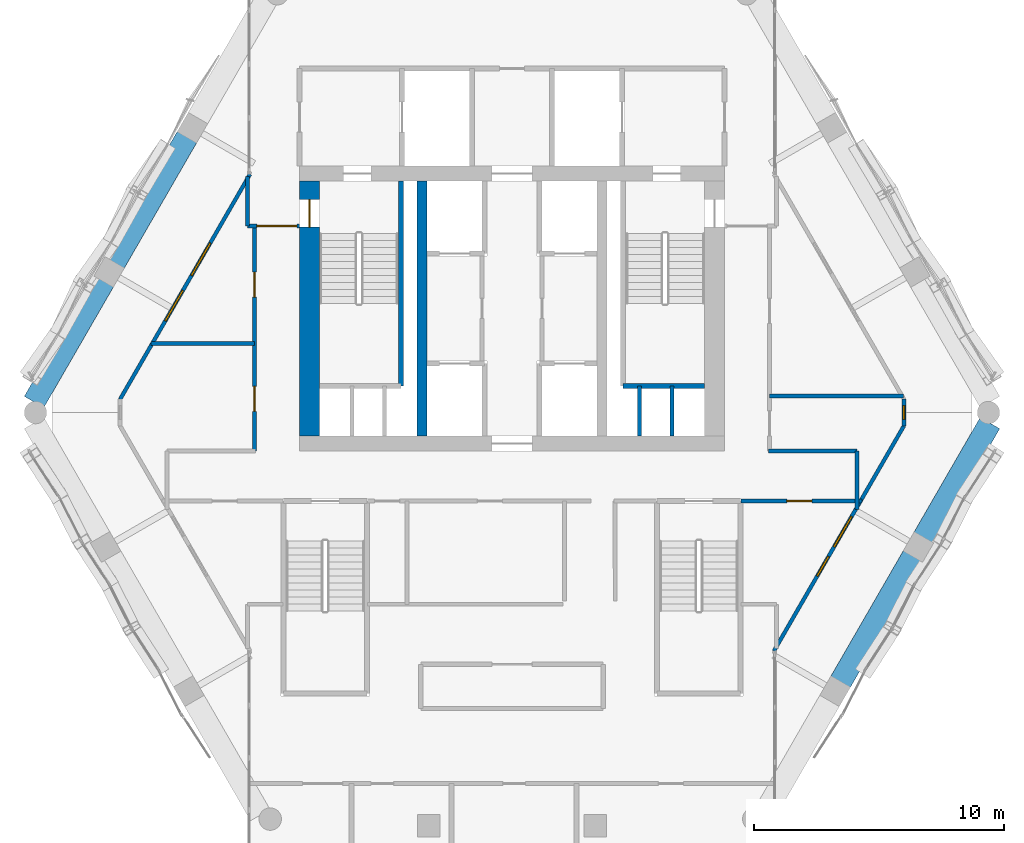
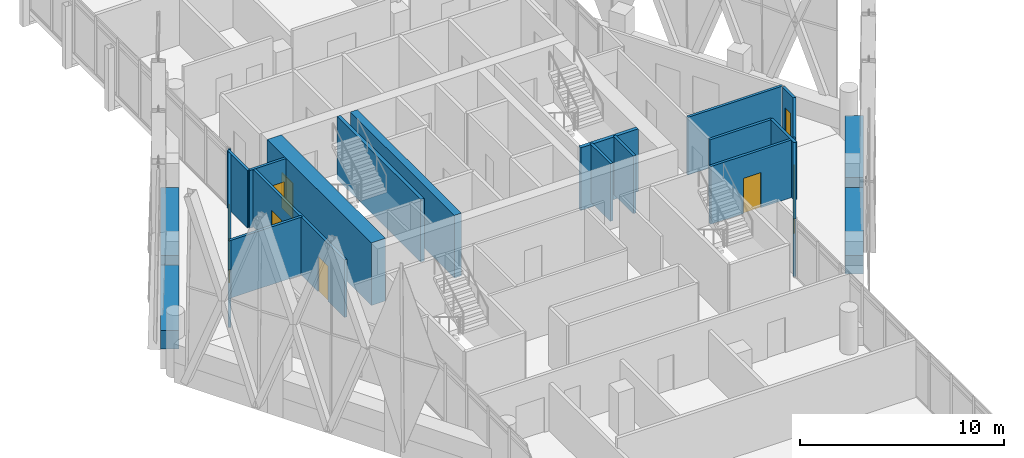
# One storey, part 30 of 37: 21 walls, 5 doors, 5 windows, 10 openings.
"""IFC4 building model written with IfcOpenShell, lengths in metres."""

from ifc_helpers import new_model, si_unit, direction, frame, frame_2d, origin, place, context, subcontext, project, spatial, rectangle, extrude, material, layer, layer_set, type_object, element, fill, save


model = new_model("IFC4")

# Units and contexts
model_context = context("Model", 3, precision=1e-05, world=origin(), true_north=direction((0.0, 1.0)))
body_context = subcontext(model_context, "Body", "Model", "MODEL_VIEW")
ifc_project = project(units=[si_unit("LENGTHUNIT", "METRE"), si_unit("AREAUNIT", "SQUARE_METRE"), si_unit("VOLUMEUNIT", "CUBIC_METRE"), si_unit("PLANEANGLEUNIT", "RADIAN"), si_unit("MASSUNIT", "GRAM", prefix="KILO")], contexts=[model_context])

# Site, building, storey
site_placement = place(None, origin())
site = spatial("IfcSite", under=ifc_project, at=site_placement, CompositionType="ELEMENT")
building_placement = place(site_placement, origin())
building = spatial("IfcBuilding", under=site, at=building_placement, Name="Ostrander Bayou Hotel Tower", CompositionType="ELEMENT")
storey_placement = place(building_placement, frame((0.0, 0.0, 225.75)))
storey = spatial("IfcBuildingStorey", under=building, at=storey_placement, Name="L56", CompositionType="ELEMENT", Elevation=225.75)

# Wall, opening, door
ifc_material_1 = material(Name="Concrete f'c 60 MPa", Category="concrete")
ifc_layer_1 = layer(ifc_material_1, 0.800048828125)
ifc_layer_set_1 = layer_set([ifc_layer_1], Name="CW11 core spine wall 800 mm f'c 60 MPa")
wall_type_1 = type_object("IfcWallType", Name="CW11 core spine wall 800 mm f'c 60 MPa", PredefinedType="SHEAR", material=ifc_layer_set_1)
wall_1_placement = place(storey_placement, frame((-8.10009765625, -1.10009765625, -0.300048828125), z_axis=(0.0, 0.0, 1.0), x_axis=(0.0, 1.0, 0.0)))
wall_1 = element("IfcWall", 1, at=wall_1_placement, inside=storey, type_object=wall_type_1, Name="CW11 L56 W", PredefinedType="SHEAR", context=body_context, shape_type="SweptSolid", body=[
    extrude(rectangle(XDim=10.2001953125, YDim=0.800048828125, at=frame_2d((5.10009765625, 0.0))), origin(), (0.0, 0.0, 1.0), 3.75),
])
opening_1_placement = place(wall_1_placement, frame((8.35009765625, 0.0, 0.0)))
opening_1 = element("IfcOpeningElement", 2, at=opening_1_placement, cuts=wall_1, Name="Opening T55-008", PredefinedType="OPENING", context=body_context, shape_type="SweptSolid", body=[
    extrude(rectangle(XDim=1.10009765625, YDim=2.10009765625, at=frame_2d((0.550048828125, 1.050048828125))), frame((0.0, 0.39990234375, 0.0), z_axis=(0.0, -1.0, 0.0), x_axis=(1.0, 0.0, 0.0)), (0.0, 0.0, 1.0), 0.800048828125),
])
ifc_material_2 = material(Name="Timber door leaf", Category="wood")
door_type_1 = type_object("IfcDoorType", Name="D5 stair door 1100 x 2100 mm, 90 minute", OperationType="SINGLE_SWING_LEFT", PredefinedType="DOOR", material=ifc_material_2)
door_1_placement = place(opening_1_placement, origin())
door_1 = element("IfcDoor", 3, at=door_1_placement, inside=storey, type_object=door_type_1, Name="dr:L56:008", OperationType="SINGLE_SWING_RIGHT", OverallHeight=2.10009765625, OverallWidth=1.10009765625, PredefinedType="DOOR", context=body_context, shape_type="SweptSolid", body=[
    extrude(rectangle(XDim=1.10009765625, YDim=2.10009765625, at=frame_2d((0.550048828125, 1.050048828125))), frame((0.0, 0.02490234375, 0.0), z_axis=(0.0, -1.0, 0.0), x_axis=(1.0, 0.0, 0.0)), (0.0, 0.0, 1.0), 0.050048828125),
])
fill(opening_1, door_1)

# Wall
ifc_material_3 = material(Name="Concrete f'c 60 MPa", Category="concrete")
ifc_layer_2 = layer(ifc_material_3, 0.39990234375)
ifc_layer_set_2 = layer_set([ifc_layer_2], Name="CW12 core bank wall 400 mm f'c 60 MPa")
wall_type_2 = type_object("IfcWallType", Name="CW12 core bank wall 400 mm f'c 60 MPa", PredefinedType="SHEAR", material=ifc_layer_set_2)
wall_2_placement = place(storey_placement, frame((-3.60009765625, -1.10009765625, -0.300048828125), z_axis=(0.0, 0.0, 1.0), x_axis=(0.0, 1.0, 0.0)))
element("IfcWall", 4, at=wall_2_placement, inside=storey, type_object=wall_type_2, Name="CW12 L56 CW", PredefinedType="SHEAR", context=body_context, shape_type="SweptSolid", body=[
    extrude(rectangle(XDim=10.2001953125, YDim=0.39990234375, at=frame_2d((5.10009765625, 0.0))), origin(), (0.0, 0.0, 1.0), 3.75),
])

# Wall, openings, windows
ifc_material_4 = material(Name="Aluminium framed insulated wall", Category="aluminium")
ifc_layer_3 = layer(ifc_material_4, 0.14990234375)
ifc_layer_set_3 = layer_set([ifc_layer_3], Name="GW1 glass-line wall 150 mm")
wall_type_3 = type_object("IfcWallType", Name="GW1 glass-line wall 150 mm", PredefinedType="SOLIDWALL", material=ifc_layer_set_3)
wall_3_placement = place(storey_placement, frame((-10.47900390625, 9.37255859375, 0.0), z_axis=(0.0, 0.0, 1.0), x_axis=(-0.49999822861, -0.866026426494, 0.0)))
wall_3 = element("IfcWall", 5, at=wall_3_placement, inside=storey, type_object=wall_type_3, Name="GW1 L56 NW 1", PredefinedType="SOLIDWALL", context=body_context, shape_type="SweptSolid", body=[
    extrude(rectangle(XDim=10.396484375, YDim=0.14990234375, at=frame_2d((5.1982421875, 0.0))), origin(), (0.0, 0.0, 1.0), 3.449951171875),
])
opening_2_placement = place(wall_3_placement, frame((3.177490234375, 0.0, 0.14990234375)))
opening_2 = element("IfcOpeningElement", 6, at=opening_2_placement, cuts=wall_3, Name="Opening W10", PredefinedType="OPENING", context=body_context, shape_type="SweptSolid", body=[
    extrude(rectangle(XDim=1.5, YDim=2.199951171875, at=frame_2d((0.75, 1.10009765625))), frame((0.0, 0.074951171875, 0.0), z_axis=(0.0, -1.0, 0.0), x_axis=(1.0, 0.0, 0.0)), (0.0, 0.0, 1.0), 0.14990234375),
])
opening_3_placement = place(wall_3_placement, frame((5.37744140625, 0.0, 0.14990234375)))
opening_3 = element("IfcOpeningElement", 7, at=opening_3_placement, cuts=wall_3, Name="Opening W14", PredefinedType="OPENING", context=body_context, shape_type="SweptSolid", body=[
    extrude(rectangle(XDim=1.39990234375, YDim=2.199951171875, at=frame_2d((0.699951171875, 1.10009765625))), frame((0.0, 0.074951171875, 0.0), z_axis=(0.0, -1.0, 0.0), x_axis=(1.0, 0.0, 0.0)), (0.0, 0.0, 1.0), 0.14990234375),
])
ifc_material_5 = material(Name="Aluminium and clear glass", Category="aluminium")
window_type_1 = type_object("IfcWindowType", Name="W10 fixed window 1500 mm, bar storeys, zone 4", PartitioningType="SINGLE_PANEL", PredefinedType="WINDOW", material=ifc_material_5)
window_1_placement = place(opening_2_placement, origin())
window_1 = element("IfcWindow", 8, at=window_1_placement, inside=storey, type_object=window_type_1, Name="W10 L56 NW 3", OverallHeight=2.199951171875, OverallWidth=1.5, PartitioningType="SINGLE_PANEL", PredefinedType="WINDOW", context=body_context, shape_type="SweptSolid", body=[
    extrude(rectangle(XDim=1.5, YDim=2.199951171875, at=frame_2d((0.75, 1.10009765625))), frame((0.0, 0.030029296875, 0.0), z_axis=(0.0, -1.0, 0.0), x_axis=(1.0, 0.0, 0.0)), (0.0, 0.0, 1.0), 0.06005859375),
])
fill(opening_2, window_1)
ifc_material_6 = material(Name="Aluminium and clear glass", Category="aluminium")
window_type_2 = type_object("IfcWindowType", Name="W14 fixed window 1400 mm, bath bay, zone 4", PartitioningType="SINGLE_PANEL", PredefinedType="WINDOW", material=ifc_material_6)
window_2_placement = place(opening_3_placement, origin())
window_2 = element("IfcWindow", 9, at=window_2_placement, inside=storey, type_object=window_type_2, Name="W14 L56 NW 3", OverallHeight=2.199951171875, OverallWidth=1.39990234375, PartitioningType="SINGLE_PANEL", PredefinedType="WINDOW", context=body_context, shape_type="SweptSolid", body=[
    extrude(rectangle(XDim=1.39990234375, YDim=2.199951171875, at=frame_2d((0.699951171875, 1.10009765625))), frame((0.0, 0.030029296875, 0.0), z_axis=(0.0, -1.0, 0.0), x_axis=(1.0, 0.0, 0.0)), (0.0, 0.0, 1.0), 0.06005859375),
])
fill(opening_3, window_2)

wall_4_placement = place(storey_placement, frame((10.47900390625, -9.699951171875, 0.0), z_axis=(0.0, 0.0, 1.0), x_axis=(0.49999822861, 0.866026426494, 0.0)))
wall_4 = element("IfcWall", 10, at=wall_4_placement, inside=storey, type_object=wall_type_3, Name="GW1 L56 SE 1", PredefinedType="SOLIDWALL", context=body_context, shape_type="SweptSolid", body=[
    extrude(rectangle(XDim=10.396484375, YDim=0.14990234375, at=frame_2d((5.1982421875, 0.0))), origin(), (0.0, 0.0, 1.0), 3.449951171875),
])
opening_4_placement = place(wall_4_placement, frame((3.4609375, 0.0, 0.14990234375)))
opening_4 = element("IfcOpeningElement", 11, at=opening_4_placement, cuts=wall_4, Name="Opening W18", PredefinedType="OPENING", context=body_context, shape_type="SweptSolid", body=[
    extrude(rectangle(XDim=0.89990234375, YDim=2.199951171875, at=frame_2d((0.449951171875, 1.10009765625))), frame((0.0, 0.074951171875, 0.0), z_axis=(0.0, -1.0, 0.0), x_axis=(1.0, 0.0, 0.0)), (0.0, 0.0, 1.0), 0.14990234375),
])
opening_5_placement = place(wall_4_placement, frame((4.81396484375, 0.0, 0.14990234375)))
opening_5 = element("IfcOpeningElement", 12, at=opening_5_placement, cuts=wall_4, Name="Opening W14", PredefinedType="OPENING", context=body_context, shape_type="SweptSolid", body=[
    extrude(rectangle(XDim=1.39990234375, YDim=2.199951171875, at=frame_2d((0.699951171875, 1.10009765625))), frame((0.0, 0.074951171875, 0.0), z_axis=(0.0, -1.0, 0.0), x_axis=(1.0, 0.0, 0.0)), (0.0, 0.0, 1.0), 0.14990234375),
])
window_3_placement = place(opening_5_placement, origin())
window_3 = element("IfcWindow", 13, at=window_3_placement, inside=storey, type_object=window_type_2, Name="W14 L56 SE 2", OverallHeight=2.199951171875, OverallWidth=1.39990234375, PartitioningType="SINGLE_PANEL", PredefinedType="WINDOW", context=body_context, shape_type="SweptSolid", body=[
    extrude(rectangle(XDim=1.39990234375, YDim=2.199951171875, at=frame_2d((0.699951171875, 1.10009765625))), frame((0.0, 0.030029296875, 0.0), z_axis=(0.0, -1.0, 0.0), x_axis=(1.0, 0.0, 0.0)), (0.0, 0.0, 1.0), 0.06005859375),
])
fill(opening_5, window_3)
ifc_material_7 = material(Name="Aluminium and clear glass", Category="aluminium")
window_type_3 = type_object("IfcWindowType", Name="W18 window 900 mm, zone 4", PartitioningType="SINGLE_PANEL", PredefinedType="WINDOW", material=ifc_material_7)
window_4_placement = place(opening_4_placement, origin())
window_4 = element("IfcWindow", 14, at=window_4_placement, inside=storey, type_object=window_type_3, Name="W18 L56 SE 2", OverallHeight=2.199951171875, OverallWidth=0.89990234375, PartitioningType="SINGLE_PANEL", PredefinedType="WINDOW", context=body_context, shape_type="SweptSolid", body=[
    extrude(rectangle(XDim=0.89990234375, YDim=2.199951171875, at=frame_2d((0.449951171875, 1.10009765625))), frame((0.0, 0.030029296875, 0.0), z_axis=(0.0, -1.0, 0.0), x_axis=(1.0, 0.0, 0.0)), (0.0, 0.0, 1.0), 0.06005859375),
])
fill(opening_4, window_4)

# Wall, opening, window
wall_5_placement = place(storey_placement, frame((15.67724609375, -0.6962890625, 0.0), z_axis=(0.0, 0.0, 1.0), x_axis=(0.0, 1.0, 0.0)))
wall_5 = element("IfcWall", 15, at=wall_5_placement, inside=storey, type_object=wall_type_3, Name="GW1 L56 corner 5", PredefinedType="SOLIDWALL", context=body_context, shape_type="SweptSolid", body=[
    extrude(rectangle(XDim=1.065185546875, YDim=0.14990234375, at=frame_2d((0.53271484375, 0.0))), origin(), (0.0, 0.0, 1.0), 3.449951171875),
])
opening_6_placement = place(wall_5_placement, frame((0.257568359375, 0.0, 0.14990234375)))
opening_6 = element("IfcOpeningElement", 16, at=opening_6_placement, cuts=wall_5, Name="Opening W19", PredefinedType="OPENING", context=body_context, shape_type="SweptSolid", body=[
    extrude(rectangle(XDim=0.550048828125, YDim=2.199951171875, at=frame_2d((0.27490234375, 1.10009765625))), frame((0.0, 0.074951171875, 0.0), z_axis=(0.0, -1.0, 0.0), x_axis=(1.0, 0.0, 0.0)), (0.0, 0.0, 1.0), 0.14990234375),
])
ifc_material_8 = material(Name="Aluminium and clear glass", Category="aluminium")
window_type_4 = type_object("IfcWindowType", Name="W19 corner window 550 mm", PartitioningType="SINGLE_PANEL", PredefinedType="WINDOW", material=ifc_material_8)
window_5_placement = place(opening_6_placement, origin())
window_5 = element("IfcWindow", 17, at=window_5_placement, inside=storey, type_object=window_type_4, Name="W19 L56 corner 5", OverallHeight=2.199951171875, OverallWidth=0.550048828125, PartitioningType="SINGLE_PANEL", PredefinedType="WINDOW", context=body_context, shape_type="SweptSolid", body=[
    extrude(rectangle(XDim=0.550048828125, YDim=2.199951171875, at=frame_2d((0.27490234375, 1.10009765625))), frame((0.0, 0.030029296875, 0.0), z_axis=(0.0, -1.0, 0.0), x_axis=(1.0, 0.0, 0.0)), (0.0, 0.0, 1.0), 0.06005859375),
])
fill(opening_6, window_5)

# Walls
ifc_material_9 = material(Name="Concrete f'c 40 MPa", Category="concrete")
ifc_layer_4 = layer(ifc_material_9, 0.89990234375)
ifc_layer_set_4 = layer_set([ifc_layer_4], Name="PA1 stone-faced parapet 900 mm")
wall_type_4 = type_object("IfcWallType", Name="PA1 stone-faced parapet 900 mm", PredefinedType="PARAPET", material=ifc_layer_set_4)
wall_6_placement = place(storey_placement, frame((-12.99609375, 10.86279296875, 0.0), z_axis=(0.0, 0.0, 1.0), x_axis=(-0.499997265274, -0.866026982673, 0.0)))
element("IfcWall", 18, at=wall_6_placement, inside=storey, type_object=wall_type_4, Name="PA1 L56 NW-2", PredefinedType="PARAPET", context=body_context, shape_type="SweptSolid", body=[
    extrude(rectangle(XDim=5.81884765625, YDim=0.89990234375, at=frame_2d((2.909423828125, 0.0))), origin(), (0.0, 0.0, 1.0), 1.10009765625),
])
wall_7_placement = place(storey_placement, frame((-16.325439453125, 5.09619140625, 0.0), z_axis=(0.0, 0.0, 1.0), x_axis=(-0.500007442593, -0.866021106759, 0.0)))
element("IfcWall", 19, at=wall_7_placement, inside=storey, type_object=wall_type_4, Name="PA1 L56 NW-3", PredefinedType="PARAPET", context=body_context, shape_type="SweptSolid", body=[
    extrude(rectangle(XDim=5.58642578125, YDim=0.89990234375, at=frame_2d((2.793212890625, 0.0))), origin(), (0.0, 0.0, 1.0), 1.10009765625),
])
ifc_material_10 = material(Name="Limestone masonry", Category="masonry")
ifc_layer_5 = layer(ifc_material_10, 0.89990234375)
ifc_layer_set_5 = layer_set([ifc_layer_5], Name="PA2 limestone parapet 900 mm")
wall_type_5 = type_object("IfcWallType", Name="PA2 limestone parapet 900 mm", PredefinedType="PARAPET", material=ifc_layer_set_5)
wall_8_placement = place(storey_placement, frame((13.1376953125, -10.944580078125, 0.0), z_axis=(0.0, 0.0, 1.0), x_axis=(0.500015433515, 0.866016493057, 0.0)))
element("IfcWall", 20, at=wall_8_placement, inside=storey, type_object=wall_type_5, Name="PA2 L56 SE-2", PredefinedType="PARAPET", context=body_context, shape_type="SweptSolid", body=[
    extrude(rectangle(XDim=5.818603515625, YDim=0.89990234375, at=frame_2d((2.9091796875, 0.0))), origin(), (0.0, 0.0, 1.0), 1.10009765625),
])
wall_9_placement = place(storey_placement, frame((16.46728515625, -5.177978515625, 0.0), z_axis=(0.0, 0.0, 1.0), x_axis=(0.500001430823, 0.866024577697, 0.0)))
element("IfcWall", 21, at=wall_9_placement, inside=storey, type_object=wall_type_5, Name="PA2 L56 SE-3", PredefinedType="PARAPET", context=body_context, shape_type="SweptSolid", body=[
    extrude(rectangle(XDim=5.302734375, YDim=0.89990234375, at=frame_2d((2.6513671875, 0.0))), origin(), (0.0, 0.0, 1.0), 1.10009765625),
])
ifc_material_11 = material(Name="Gypsum board partition", Category="finish")
ifc_layer_6 = layer(ifc_material_11, 0.14990234375)
ifc_layer_set_6 = layer_set([ifc_layer_6], Name="PT7 riser wall 150 mm, 2 hour")
wall_type_6 = type_object("IfcWallType", Name="PT7 riser wall 150 mm, 2 hour", PredefinedType="PARTITIONING", material=ifc_layer_set_6)
for number, where, z_axis, x_axis, name in (
    (22, (5.10009765625, -1.10009765625, 0.0), (0.0, 0.0, 1.0), (0.0, 1.0, 0.0), "cs:L56:015"),
    (23, (6.39990234375, -1.10009765625, 0.0), (0.0, 0.0, 1.0), (0.0, 1.0, 0.0), "cs:L56:016"),
):
    element("IfcWall", number, at=place(storey_placement, frame(where, z_axis=z_axis, x_axis=x_axis)), inside=storey, type_object=wall_type_6, Name=name, PredefinedType="PARTITIONING", context=body_context, shape_type="SweptSolid", body=[
        extrude(rectangle(XDim=2.0, YDim=0.14990234375, at=frame_2d((1.0, 0.0))), origin(), (0.0, 0.0, 1.0), 3.449951171875),
    ])

# Wall, opening, door
ifc_material_12 = material(Name="Gypsum board partition", Category="finish")
ifc_layer_7 = layer(ifc_material_12, 0.14990234375)
ifc_layer_set_7 = layer_set([ifc_layer_7], Name="PT8 service band wall 150 mm, 1 hour")
wall_type_7 = type_object("IfcWallType", Name="PT8 service band wall 150 mm, 1 hour", PredefinedType="PARTITIONING", material=ifc_layer_set_7)
wall_10_placement = place(storey_placement, frame((9.159912109375, -3.699951171875, 0.0), z_axis=(0.0, 0.0, 1.0), x_axis=(1.0, 0.0, 0.0)))
wall_10 = element("IfcWall", 24, at=wall_10_placement, inside=storey, type_object=wall_type_7, Name="gw:L56:007", PredefinedType="PARTITIONING", context=body_context, shape_type="SweptSolid", body=[
    extrude(rectangle(XDim=4.835205078125, YDim=0.14990234375, at=frame_2d((2.41748046875, 0.0))), origin(), (0.0, 0.0, 1.0), 3.449951171875),
])
opening_7_placement = place(wall_10_placement, frame((1.840087890625, 0.0, 0.0)))
opening_7 = element("IfcOpeningElement", 25, at=opening_7_placement, cuts=wall_10, Name="Opening T55-403", PredefinedType="OPENING", context=body_context, shape_type="SweptSolid", body=[
    extrude(rectangle(XDim=1.0, YDim=2.10009765625, at=frame_2d((0.5, 1.050048828125))), frame((0.0, 0.074951171875, 0.0), z_axis=(0.0, -1.0, 0.0), x_axis=(1.0, 0.0, 0.0)), (0.0, 0.0, 1.0), 0.14990234375),
])
ifc_material_13 = material(Name="Timber door leaf", Category="wood")
door_type_2 = type_object("IfcDoorType", Name="D9 service door 1000 x 2100 mm, 30 minute", OperationType="SINGLE_SWING_LEFT", PredefinedType="DOOR", material=ifc_material_13)
door_2_placement = place(opening_7_placement, origin())
door_2 = element("IfcDoor", 26, at=door_2_placement, inside=storey, type_object=door_type_2, Name="dr:L56:403", OperationType="SINGLE_SWING_LEFT", OverallHeight=2.10009765625, OverallWidth=1.0, PredefinedType="DOOR", context=body_context, shape_type="SweptSolid", body=[
    extrude(rectangle(XDim=1.0, YDim=2.10009765625, at=frame_2d((0.5, 1.050048828125))), frame((0.0, 0.02490234375, 0.0), z_axis=(0.0, -1.0, 0.0), x_axis=(1.0, 0.0, 0.0)), (0.0, 0.0, 1.0), 0.050048828125),
])
fill(opening_7, door_2)

# Walls
wall_11_placement = place(storey_placement, frame((10.260009765625, -1.699951171875, 0.0), z_axis=(0.0, 0.0, 1.0), x_axis=(1.0, 0.0, 0.0)))
element("IfcWall", 27, at=wall_11_placement, inside=storey, type_object=wall_type_7, Name="gw:L56:009", PredefinedType="PARTITIONING", context=body_context, shape_type="SweptSolid", body=[
    extrude(rectangle(XDim=3.5400390625, YDim=0.14990234375, at=frame_2d((1.77001953125, 0.0))), origin(), (0.0, 0.0, 1.0), 3.449951171875),
])
wall_12_placement = place(storey_placement, frame((10.300048828125, 0.5, 0.0), z_axis=(0.0, 0.0, 1.0), x_axis=(1.0, 0.0, 0.0)))
element("IfcWall", 28, at=wall_12_placement, inside=storey, type_object=wall_type_7, Name="gw:L56:010", PredefinedType="PARTITIONING", context=body_context, shape_type="SweptSolid", body=[
    extrude(rectangle(XDim=5.35400390625, YDim=0.14990234375, at=frame_2d((2.677001953125, 0.0))), origin(), (0.0, 0.0, 1.0), 3.449951171875),
])
wall_13_placement = place(storey_placement, frame((-14.44091796875, 2.60009765625, 0.0), z_axis=(0.0, 0.0, 1.0), x_axis=(1.0, 0.0, 0.0)))
element("IfcWall", 29, at=wall_13_placement, inside=storey, type_object=wall_type_7, Name="gw:L56:011", PredefinedType="PARTITIONING", context=body_context, shape_type="SweptSolid", body=[
    extrude(rectangle(XDim=4.140869140625, YDim=0.14990234375, at=frame_2d((2.0703125, 0.0))), origin(), (0.0, 0.0, 1.0), 3.449951171875),
])

# Wall, opening, door
wall_14_placement = place(storey_placement, frame((-10.5849609375, 7.300048828125, 0.0), z_axis=(0.0, 0.0, 1.0), x_axis=(1.0, 0.0, 0.0)))
wall_14 = element("IfcWall", 30, at=wall_14_placement, inside=storey, type_object=wall_type_7, Name="gw:L56:012", PredefinedType="PARTITIONING", context=body_context, shape_type="SweptSolid", body=[
    extrude(rectangle(XDim=2.074951171875, YDim=0.14990234375, at=frame_2d((1.03759765625, 0.0))), origin(), (0.0, 0.0, 1.0), 3.449951171875),
])
opening_8_placement = place(wall_14_placement, frame((0.375, 0.0, 0.0)))
opening_8 = element("IfcOpeningElement", 31, at=opening_8_placement, cuts=wall_14, Name="Opening T55-1212", PredefinedType="OPENING", context=body_context, shape_type="SweptSolid", body=[
    extrude(rectangle(XDim=1.60009765625, YDim=2.10009765625, at=frame_2d((0.800048828125, 1.050048828125))), frame((0.0, 0.074951171875, 0.0), z_axis=(0.0, -1.0, 0.0), x_axis=(1.0, 0.0, 0.0)), (0.0, 0.0, 1.0), 0.14990234375),
])
ifc_material_14 = material(Name="Timber door leaf", Category="wood")
door_type_3 = type_object("IfcDoorType", Name="D13 double door 1600 x 2100 mm, 1 hour", OperationType="SINGLE_SWING_LEFT", PredefinedType="DOOR", material=ifc_material_14)
door_3_placement = place(opening_8_placement, origin())
door_3 = element("IfcDoor", 32, at=door_3_placement, inside=storey, type_object=door_type_3, Name="dr:L56:1212", OperationType="DOUBLE_DOOR_SINGLE_SWING", OverallHeight=2.10009765625, OverallWidth=1.60009765625, PredefinedType="DOOR", context=body_context, shape_type="SweptSolid", body=[
    extrude(rectangle(XDim=1.60009765625, YDim=2.10009765625, at=frame_2d((0.800048828125, 1.050048828125))), frame((0.0, 0.02490234375, 0.0), z_axis=(0.0, -1.0, 0.0), x_axis=(1.0, 0.0, 0.0)), (0.0, 0.0, 1.0), 0.050048828125),
])
fill(opening_8, door_3)

# Wall
wall_15_placement = place(storey_placement, frame((13.800048828125, -4.0380859375, 0.0), z_axis=(0.0, 0.0, 1.0), x_axis=(0.0, 1.0, 0.0)))
element("IfcWall", 33, at=wall_15_placement, inside=storey, type_object=wall_type_7, Name="gw:L56:014", PredefinedType="PARTITIONING", context=body_context, shape_type="SweptSolid", body=[
    extrude(rectangle(XDim=2.338134765625, YDim=0.14990234375, at=frame_2d((1.1689453125, 0.0))), origin(), (0.0, 0.0, 1.0), 3.449951171875),
])

# Wall, openings, doors
wall_16_placement = place(storey_placement, frame((-10.300048828125, -1.699951171875, 0.0), z_axis=(0.0, 0.0, 1.0), x_axis=(0.0, 1.0, 0.0)))
wall_16 = element("IfcWall", 34, at=wall_16_placement, inside=storey, type_object=wall_type_7, Name="gw:L56:020", PredefinedType="PARTITIONING", context=body_context, shape_type="SweptSolid", body=[
    extrude(rectangle(XDim=9.0, YDim=0.14990234375, at=frame_2d((4.5, 0.0))), origin(), (0.0, 0.0, 1.0), 3.449951171875),
])
opening_9_placement = place(wall_16_placement, frame((1.587890625, 0.0, 0.0)))
opening_9 = element("IfcOpeningElement", 35, at=opening_9_placement, cuts=wall_16, Name="Opening T55-404", PredefinedType="OPENING", context=body_context, shape_type="SweptSolid", body=[
    extrude(rectangle(XDim=1.0, YDim=2.10009765625, at=frame_2d((0.5, 1.050048828125))), frame((0.0, 0.074951171875, 0.0), z_axis=(0.0, -1.0, 0.0), x_axis=(1.0, 0.0, 0.0)), (0.0, 0.0, 1.0), 0.14990234375),
])
opening_10_placement = place(wall_16_placement, frame((6.14990234375, 0.0, 0.0)))
opening_10 = element("IfcOpeningElement", 36, at=opening_10_placement, cuts=wall_16, Name="Opening T55-405", PredefinedType="OPENING", context=body_context, shape_type="SweptSolid", body=[
    extrude(rectangle(XDim=1.0, YDim=2.10009765625, at=frame_2d((0.5, 1.050048828125))), frame((0.0, 0.074951171875, 0.0), z_axis=(0.0, -1.0, 0.0), x_axis=(1.0, 0.0, 0.0)), (0.0, 0.0, 1.0), 0.14990234375),
])
ifc_material_15 = material(Name="Timber door leaf", Category="wood")
door_type_4 = type_object("IfcDoorType", Name="D15 room door 1000 x 2100 mm", OperationType="SINGLE_SWING_LEFT", PredefinedType="DOOR", material=ifc_material_15)
door_4_placement = place(opening_9_placement, origin())
door_4 = element("IfcDoor", 37, at=door_4_placement, inside=storey, type_object=door_type_4, Name="dr:L56:404", OperationType="SINGLE_SWING_RIGHT", OverallHeight=2.10009765625, OverallWidth=1.0, PredefinedType="DOOR", context=body_context, shape_type="SweptSolid", body=[
    extrude(rectangle(XDim=1.0, YDim=2.10009765625, at=frame_2d((0.5, 1.050048828125))), frame((0.0, 0.02490234375, 0.0), z_axis=(0.0, -1.0, 0.0), x_axis=(1.0, 0.0, 0.0)), (0.0, 0.0, 1.0), 0.050048828125),
])
fill(opening_9, door_4)
door_5_placement = place(opening_10_placement, origin())
door_5 = element("IfcDoor", 38, at=door_5_placement, inside=storey, type_object=door_type_2, Name="dr:L56:405", OperationType="SINGLE_SWING_LEFT", OverallHeight=2.10009765625, OverallWidth=1.0, PredefinedType="DOOR", context=body_context, shape_type="SweptSolid", body=[
    extrude(rectangle(XDim=1.0, YDim=2.10009765625, at=frame_2d((0.5, 1.050048828125))), frame((0.0, 0.02490234375, 0.0), z_axis=(0.0, -1.0, 0.0), x_axis=(1.0, 0.0, 0.0)), (0.0, 0.0, 1.0), 0.050048828125),
])
fill(opening_10, door_5)

# Walls
wall_17_placement = place(storey_placement, frame((-10.5849609375, 7.300048828125, 0.0), z_axis=(0.0, 0.0, 1.0), x_axis=(0.0, 1.0, 0.0)))
element("IfcWall", 39, at=wall_17_placement, inside=storey, type_object=wall_type_7, Name="gw:L56:022", PredefinedType="PARTITIONING", context=body_context, shape_type="SweptSolid", body=[
    extrude(rectangle(XDim=1.97900390625, YDim=0.14990234375, at=frame_2d((0.989501953125, 0.0))), origin(), (0.0, 0.0, 1.0), 3.449951171875),
])
ifc_material_16 = material(Name="Concrete f'c 45 MPa", Category="concrete")
ifc_layer_8 = layer(ifc_material_16, 0.199951171875)
ifc_layer_set_8 = layer_set([ifc_layer_8], Name="SW5 stair enclosure wall 200 mm f'c 45 MPa")
wall_type_8 = type_object("IfcWallType", Name="SW5 stair enclosure wall 200 mm f'c 45 MPa", PredefinedType="SOLIDWALL", material=ifc_layer_set_8)
wall_18_placement = place(storey_placement, frame((-4.449951171875, 0.89990234375, -0.300048828125), z_axis=(0.0, 0.0, 1.0), x_axis=(0.0, 1.0, 0.0)))
element("IfcWall", 40, at=wall_18_placement, inside=storey, type_object=wall_type_8, Name="cs:L56:009", PredefinedType="SOLIDWALL", context=body_context, shape_type="SweptSolid", body=[
    extrude(rectangle(XDim=8.2001953125, YDim=0.199951171875, at=frame_2d((4.10009765625, 0.0))), origin(), (0.0, 0.0, 1.0), 3.75),
])
wall_19_placement = place(storey_placement, frame((4.449951171875, 0.89990234375, -0.300048828125), z_axis=(0.0, 0.0, 1.0), x_axis=(1.0, 0.0, 0.0)))
element("IfcWall", 41, at=wall_19_placement, inside=storey, type_object=wall_type_8, Name="cs:L56:014", PredefinedType="SOLIDWALL", context=body_context, shape_type="SweptSolid", body=[
    extrude(rectangle(XDim=3.25, YDim=0.199951171875, at=frame_2d((1.625, 0.0))), origin(), (0.0, 0.0, 1.0), 3.75),
])

save(model, "model.ifc")
